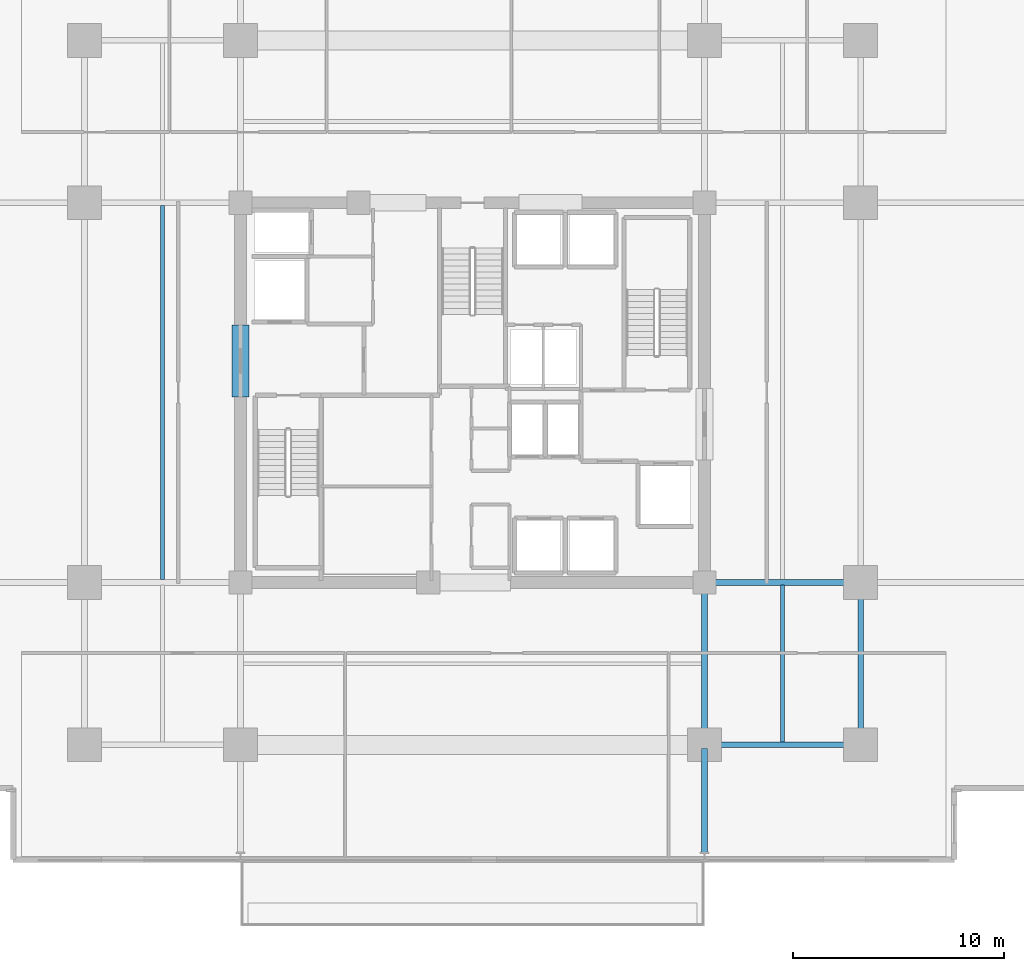
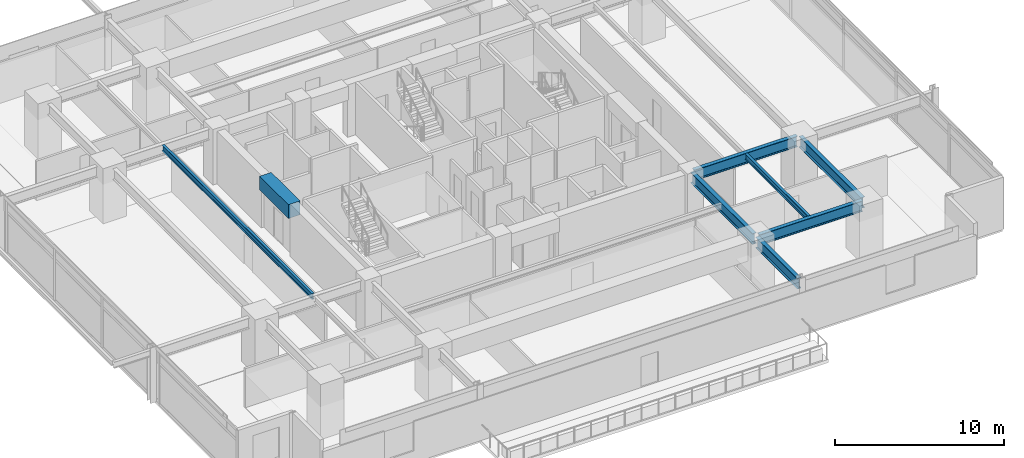
# One storey, part 5 of 22: 8 beams.
"""IFC4 building model written with IfcOpenShell, lengths in metres."""

from ifc_helpers import new_model, si_unit, direction, frame, origin, origin_2d, place, context, subcontext, project, spatial, rectangle, i_section, extrude, material, material_profile, profile_set, type_object, element, save


model = new_model("IFC4")

# Units and contexts
model_context = context("Model", 3, precision=1e-05, world=origin(), true_north=direction((0.0, 1.0)))
body_context = subcontext(model_context, "Body", "Model", "MODEL_VIEW")
ifc_project = project(units=[si_unit("LENGTHUNIT", "METRE"), si_unit("AREAUNIT", "SQUARE_METRE"), si_unit("VOLUMEUNIT", "CUBIC_METRE"), si_unit("PLANEANGLEUNIT", "RADIAN"), si_unit("MASSUNIT", "GRAM", prefix="KILO")], contexts=[model_context])

# Site, building, storey
site_placement = place(None, origin())
site = spatial("IfcSite", under=ifc_project, at=site_placement, CompositionType="ELEMENT")
building_placement = place(site_placement, origin())
building = spatial("IfcBuilding", under=site, at=building_placement, Name="Kovane Verandah Tower", CompositionType="ELEMENT")
storey_placement = place(building_placement, frame((0.0, 0.0, 156.39990234375)))
storey = spatial("IfcBuildingStorey", under=building, at=storey_placement, Name="L36", CompositionType="ELEMENT", Elevation=156.39990234375)

# Beams
ifc_material_1 = material(Name="Concrete C60/75", Category="concrete")
ifc_material_profile_1 = material_profile(ifc_material_1, rectangle(XDim=0.800048828125, YDim=1.0, at=origin_2d()), Name="RCB800x1000")
ifc_profile_set_1 = profile_set([ifc_material_profile_1], Name="Concrete C60/75")
beam_type_1 = type_object("IfcBeamType", Name="BM-LINTEL-800x1000", PredefinedType="LINTEL", material=ifc_profile_set_1)
beam_1_placement = place(storey_placement, frame((29.0, 27.300048828125, 3.275146484375), z_axis=(0.0, 1.0, 0.0), x_axis=(-1.0, 0.0, 0.0)))
element("IfcBeam", 1, at=beam_1_placement, inside=storey, type_object=beam_type_1, Name="L36 Core Coupling Lintel CL-W", PredefinedType="LINTEL", context=body_context, shape_type="SweptSolid", body=[
    extrude(rectangle(XDim=0.800048828125, YDim=1.0, at=origin_2d()), origin(), (0.0, 0.0, 1.0), 3.39990234375),
])
ifc_material_2 = material(Name="Steel S355", Category="steel")
ifc_material_profile_2 = material_profile(ifc_material_2, i_section(OverallWidth=0.26806640625, OverallDepth=0.769775390625, WebThickness=0.015625, FlangeThickness=0.025390625, FilletRadius=0.0166015625, at=origin_2d()), Name="UB762x267x197")
ifc_profile_set_2 = profile_set([ifc_material_profile_2], Name="Steel S355")
beam_type_2 = type_object("IfcBeamType", Name="BM-UB762x197", PredefinedType="BEAM", material=ifc_profile_set_2)
beam_2_placement = place(storey_placement, frame((51.179931640625, 10.800048828125, 3.39013671875), z_axis=(1.0, 0.0, 0.0), x_axis=(0.0, 1.0, 0.0)))
element("IfcBeam", 2, at=beam_2_placement, inside=storey, type_object=beam_type_2, Name="L36 Primary Tower Girder G-RS3", PredefinedType="BEAM", context=body_context, shape_type="SweptSolid", body=[
    extrude(i_section(OverallWidth=0.26806640625, OverallDepth=0.769775390625, WebThickness=0.015625, FlangeThickness=0.025390625, FilletRadius=0.0166015625, at=origin_2d()), origin(), (0.0, 0.0, 1.0), 7.0400390625),
])
beam_3_placement = place(storey_placement, frame((58.39990234375, 10.97998046875, 3.39013671875), z_axis=(0.0, 1.0, 0.0), x_axis=(-1.0, 0.0, 0.0)))
element("IfcBeam", 3, at=beam_3_placement, inside=storey, type_object=beam_type_2, Name="L36 Primary Tower Girder G-RE1", PredefinedType="BEAM", context=body_context, shape_type="SweptSolid", body=[
    extrude(i_section(OverallWidth=0.26806640625, OverallDepth=0.769775390625, WebThickness=0.015625, FlangeThickness=0.025390625, FilletRadius=0.0166015625, at=origin_2d()), origin(), (0.0, 0.0, 1.0), 7.340087890625),
])
beam_4_placement = place(storey_placement, frame((51.179931640625, 18.5, 3.39013671875), z_axis=(1.0, 0.0, 0.0), x_axis=(0.0, 1.0, 0.0)))
element("IfcBeam", 4, at=beam_4_placement, inside=storey, type_object=beam_type_2, Name="L36 Primary Tower Girder G-E1", PredefinedType="BEAM", context=body_context, shape_type="SweptSolid", body=[
    extrude(i_section(OverallWidth=0.26806640625, OverallDepth=0.769775390625, WebThickness=0.015625, FlangeThickness=0.025390625, FilletRadius=0.0166015625, at=origin_2d()), origin(), (0.0, 0.0, 1.0), 7.0400390625),
])
beam_5_placement = place(storey_placement, frame((51.0, 18.320068359375, 3.39013671875), z_axis=(0.0, -1.0, 0.0), x_axis=(1.0, 0.0, 0.0)))
element("IfcBeam", 5, at=beam_5_placement, inside=storey, type_object=beam_type_2, Name="L36 Primary Tower Girder G-S2", PredefinedType="BEAM", context=body_context, shape_type="SweptSolid", body=[
    extrude(i_section(OverallWidth=0.26806640625, OverallDepth=0.769775390625, WebThickness=0.015625, FlangeThickness=0.025390625, FilletRadius=0.0166015625, at=origin_2d()), origin(), (0.0, 0.0, 1.0), 7.340087890625),
])
beam_6_placement = place(storey_placement, frame((51.0, 10.6201171875, 3.375244140625), z_axis=(0.0, -1.0, 0.0), x_axis=(1.0, 0.0, 0.0)))
element("IfcBeam", 6, at=beam_6_placement, inside=storey, type_object=beam_type_2, Name="L36 Primary Tower Girder G-VS2", PredefinedType="BEAM", context=body_context, shape_type="SweptSolid", body=[
    extrude(i_section(OverallWidth=0.26806640625, OverallDepth=0.769775390625, WebThickness=0.015625, FlangeThickness=0.025390625, FilletRadius=0.0166015625, at=origin_2d()), origin(), (0.0, 0.0, 1.0), 4.940185546875),
])
ifc_material_profile_3 = material_profile(ifc_material_2, i_section(OverallWidth=0.179443359375, OverallDepth=0.412841796875, WebThickness=0.009521484375, FlangeThickness=0.01611328125, FilletRadius=0.01025390625, at=origin_2d()), Name="UB406x178x74")
ifc_profile_set_3 = profile_set([ifc_material_profile_3], Name="Steel S355")
beam_type_3 = type_object("IfcBeamType", Name="JST-UB406x74", PredefinedType="JOIST", material=ifc_profile_set_3)
beam_7_placement = place(storey_placement, frame((25.300048828125, 18.632080078125, 3.568603515625), z_axis=(0.0, 1.0, 0.0), x_axis=(-1.0, 0.0, 0.0)))
element("IfcBeam", 7, at=beam_7_placement, inside=storey, type_object=beam_type_3, Name="L36 Secondary Composite Joist J-W1", PredefinedType="JOIST", context=body_context, shape_type="SweptSolid", body=[
    extrude(i_section(OverallWidth=0.179443359375, OverallDepth=0.412841796875, WebThickness=0.009521484375, FlangeThickness=0.01611328125, FilletRadius=0.01025390625, at=origin_2d()), origin(), (0.0, 0.0, 1.0), 17.73583984375),
])
beam_8_placement = place(storey_placement, frame((54.699951171875, 10.931884765625, 3.568603515625), z_axis=(0.0, 1.0, 0.0), x_axis=(-1.0, 0.0, 0.0)))
element("IfcBeam", 8, at=beam_8_placement, inside=storey, type_object=beam_type_3, Name="L36 Secondary Composite Joist J-SE1", PredefinedType="JOIST", context=body_context, shape_type="SweptSolid", body=[
    extrude(i_section(OverallWidth=0.179443359375, OverallDepth=0.412841796875, WebThickness=0.009521484375, FlangeThickness=0.01611328125, FilletRadius=0.01025390625, at=origin_2d()), origin(), (0.0, 0.0, 1.0), 7.43603515625),
])

save(model, "model.ifc")
